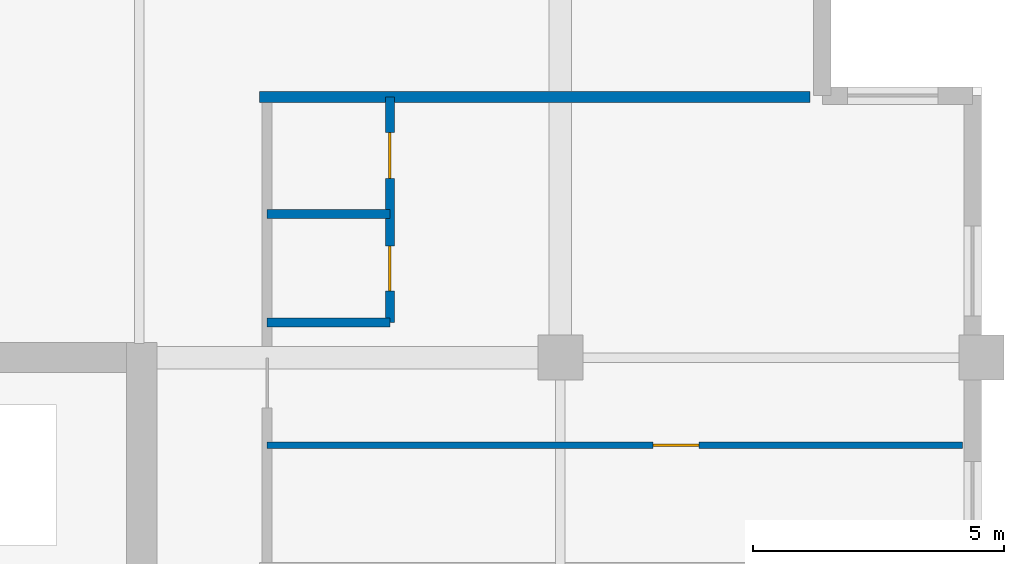
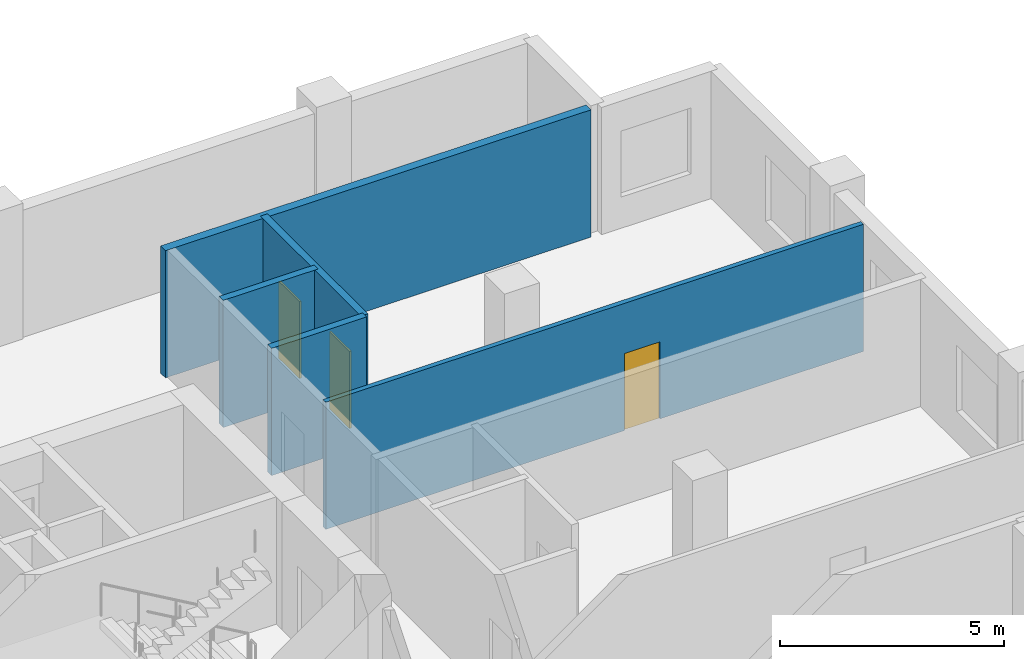
# One storey, part 5 of 12: 5 walls, 3 doors, 3 openings.
"""IFC4 building model written with IfcOpenShell, lengths in metres."""

from ifc_helpers import new_model, si_unit, direction, frame, frame_2d, origin, place, context, subcontext, project, spatial, rectangle, extrude, material, layer, layer_set, type_object, element, fill, save


model = new_model("IFC4")

# Units and contexts
model_context = context("Model", 3, precision=1e-05, world=origin(), true_north=direction((0.0, 1.0)))
body_context = subcontext(model_context, "Body", "Model", "MODEL_VIEW")
ifc_project = project(units=[si_unit("LENGTHUNIT", "METRE"), si_unit("AREAUNIT", "SQUARE_METRE"), si_unit("VOLUMEUNIT", "CUBIC_METRE"), si_unit("PLANEANGLEUNIT", "RADIAN"), si_unit("MASSUNIT", "GRAM", prefix="KILO")], contexts=[model_context])

# Site, building, storey
site_placement = place(None, origin())
site = spatial("IfcSite", under=ifc_project, at=site_placement, CompositionType="ELEMENT")
building_placement = place(site_placement, origin())
building = spatial("IfcBuilding", under=site, at=building_placement, Name="Koriwani Terraces Tower", CompositionType="ELEMENT")
storey_placement = place(building_placement, frame((0.0, 0.0, 271.199951171875)))
storey = spatial("IfcBuildingStorey", under=building, at=storey_placement, Name="L67", CompositionType="ELEMENT", Elevation=271.199951171875)

# Wall
ifc_material_1 = material(Name="Autoclaved Cellular Concrete Blockwork", Category="masonry")
ifc_layer_1 = layer(ifc_material_1, 0.219970703125, Name="Autoclaved Cellular Concrete Blockwork")
ifc_layer_set_1 = layer_set([ifc_layer_1], Name="Autoclaved Cellular Concrete Blockwork")
wall_type_1 = type_object("IfcWallType", Name="WALL_DEMISING_220", PredefinedType="PARTITIONING", material=ifc_layer_set_1)
wall_1_placement = place(storey_placement, frame((61.199951171875, 30.39990234375, 0.0), z_axis=(0.0, 0.0, 1.0), x_axis=(1.0, 0.0, 0.0)))
element("IfcWall", 1, at=wall_1_placement, inside=storey, type_object=wall_type_1, Name="L67 Interior Wall WRDEME-L67-ETE", PredefinedType="PARTITIONING", context=body_context, shape_type="SweptSolid", body=[
    extrude(rectangle(XDim=10.97998046875, YDim=0.219970703125, at=frame_2d((5.489990234375, 0.0))), origin(), (0.0, 0.0, 1.0), 3.469970703125),
])

# Wall, opening, door
ifc_material_2 = material(Name="Fire-Rated Acoustic Gypsum Partition", Category="masonry")
ifc_layer_2 = layer(ifc_material_2, 0.125, Name="Fire-Rated Acoustic Gypsum Partition")
ifc_layer_set_2 = layer_set([ifc_layer_2], Name="Fire-Rated Acoustic Gypsum Partition")
wall_type_2 = type_object("IfcWallType", Name="WALL_INT_125", PredefinedType="PARTITIONING", material=ifc_layer_set_2)
wall_2_placement = place(storey_placement, frame((61.35009765625, 23.449951171875, 0.0), z_axis=(0.0, 0.0, 1.0), x_axis=(1.0, 0.0, 0.0)))
wall_2 = element("IfcWall", 2, at=wall_2_placement, inside=storey, type_object=wall_type_2, Name="L67 Interior Wall WRBED1-L67-ETE-1", PredefinedType="PARTITIONING", context=body_context, shape_type="SweptSolid", body=[
    extrude(rectangle(XDim=13.869873046875, YDim=0.125, at=frame_2d((6.93505859375, 0.0))), origin(), (0.0, 0.0, 1.0), 3.469970703125),
])
opening_1_placement = place(wall_2_placement, frame((7.699951171875, 0.0, 0.0)))
opening_1 = element("IfcOpeningElement", 3, at=opening_1_placement, cuts=wall_2, Name="Opening D-06", PredefinedType="OPENING", context=body_context, shape_type="SweptSolid", body=[
    extrude(rectangle(XDim=0.919921875, YDim=2.10009765625, at=frame_2d((0.4599609375, 1.050048828125))), frame((0.0, 0.072509765625, 0.0), z_axis=(0.0, -1.0, 0.0), x_axis=(1.0, 0.0, 0.0)), (0.0, 0.0, 1.0), 0.14501953125),
])
ifc_material_3 = material(Name="Architectural Oak Fire Door", Category="wood")
door_type_1 = type_object("IfcDoorType", Name="DOOR_ROOM_INT_920X2100", OperationType="NOTDEFINED", PredefinedType="DOOR", material=ifc_material_3)
door_1_placement = place(opening_1_placement, origin())
door_1 = element("IfcDoor", 4, at=door_1_placement, inside=storey, type_object=door_type_1, Name="Apartment 67ETE2 Master Bedroom Door", OperationType="SINGLE_SWING_RIGHT", OverallHeight=2.10009765625, OverallWidth=0.919921875, PredefinedType="DOOR", context=body_context, shape_type="SweptSolid", body=[
    extrude(rectangle(XDim=0.919921875, YDim=2.10009765625, at=frame_2d((0.4599609375, 1.050048828125))), frame((0.0, 0.02490234375, 0.0), z_axis=(0.0, -1.0, 0.0), x_axis=(1.0, 0.0, 0.0)), (0.0, 0.0, 1.0), 0.050048828125),
])
fill(opening_1, door_1)

# Wall, openings, doors
ifc_layer_3 = layer(ifc_material_2, 0.179931640625, Name="Fire-Rated Acoustic Gypsum Partition")
ifc_layer_set_3 = layer_set([ifc_layer_3], Name="Fire-Rated Acoustic Gypsum Partition")
wall_type_3 = type_object("IfcWallType", Name="WALL_PLUMBING_180", PredefinedType="PLUMBINGWALL", material=ifc_layer_set_3)
wall_3_placement = place(storey_placement, frame((63.800048828125, 25.89990234375, 0.0), z_axis=(0.0, 0.0, 1.0), x_axis=(0.0, 1.0, 0.0)))
wall_3 = element("IfcWall", 5, at=wall_3_placement, inside=storey, type_object=wall_type_3, Name="L67 Interior Wall WRSVC-L67-ETE-1", PredefinedType="PLUMBINGWALL", context=body_context, shape_type="SweptSolid", body=[
    extrude(rectangle(XDim=4.5, YDim=0.179931640625, at=frame_2d((2.25, 0.0))), origin(), (0.0, 0.0, 1.0), 3.469970703125),
])
opening_2_placement = place(wall_3_placement, frame((0.6298828125, 0.0, 0.0)))
opening_2 = element("IfcOpeningElement", 6, at=opening_2_placement, cuts=wall_3, Name="Opening D-07", PredefinedType="OPENING", context=body_context, shape_type="SweptSolid", body=[
    extrude(rectangle(XDim=0.89990234375, YDim=2.10009765625, at=frame_2d((0.449951171875, 1.050048828125))), frame((0.0, 0.10009765625, 0.0), z_axis=(0.0, -1.0, 0.0), x_axis=(1.0, 0.0, 0.0)), (0.0, 0.0, 1.0), 0.199951171875),
])
opening_3_placement = place(wall_3_placement, frame((2.8701171875, 0.0, 0.0)))
opening_3 = element("IfcOpeningElement", 7, at=opening_3_placement, cuts=wall_3, Name="Opening D-06", PredefinedType="OPENING", context=body_context, shape_type="SweptSolid", body=[
    extrude(rectangle(XDim=0.919921875, YDim=2.10009765625, at=frame_2d((0.4599609375, 1.050048828125))), frame((0.0, 0.10009765625, 0.0), z_axis=(0.0, -1.0, 0.0), x_axis=(1.0, 0.0, 0.0)), (0.0, 0.0, 1.0), 0.199951171875),
])
door_type_2 = type_object("IfcDoorType", Name="DOOR_BATH_INT_900X2100", OperationType="NOTDEFINED", PredefinedType="DOOR", material=ifc_material_3)
door_2_placement = place(opening_2_placement, origin())
door_2 = element("IfcDoor", 8, at=door_2_placement, inside=storey, type_object=door_type_2, Name="Apartment 67ETE2 Bathroom Door", OperationType="SINGLE_SWING_RIGHT", OverallHeight=2.10009765625, OverallWidth=0.89990234375, PredefinedType="DOOR", context=body_context, shape_type="SweptSolid", body=[
    extrude(rectangle(XDim=0.89990234375, YDim=2.10009765625, at=frame_2d((0.449951171875, 1.050048828125))), frame((0.0, 0.02490234375, 0.0), z_axis=(0.0, -1.0, 0.0), x_axis=(1.0, 0.0, 0.0)), (0.0, 0.0, 1.0), 0.050048828125),
])
fill(opening_2, door_2)
door_3_placement = place(opening_3_placement, origin())
door_3 = element("IfcDoor", 9, at=door_3_placement, inside=storey, type_object=door_type_1, Name="Apartment 67ETE2 Kitchen Door", OperationType="SINGLE_SWING_LEFT", OverallHeight=2.10009765625, OverallWidth=0.919921875, PredefinedType="DOOR", context=body_context, shape_type="SweptSolid", body=[
    extrude(rectangle(XDim=0.919921875, YDim=2.10009765625, at=frame_2d((0.4599609375, 1.050048828125))), frame((0.0, 0.02490234375, 0.0), z_axis=(0.0, -1.0, 0.0), x_axis=(1.0, 0.0, 0.0)), (0.0, 0.0, 1.0), 0.050048828125),
])
fill(opening_3, door_3)

# Walls
for number, where, z_axis, x_axis, name in (
    (10, (61.35009765625, 25.89990234375, 0.0), (0.0, 0.0, 1.0), (1.0, 0.0, 0.0), "L67 Interior Wall WRSVCS-L67-ETE-1"),
    (11, (61.35009765625, 28.06005859375, 0.0), (0.0, 0.0, 1.0), (1.0, 0.0, 0.0), "L67 Interior Wall WRSVCM-L67-ETE-1"),
):
    element("IfcWall", number, at=place(storey_placement, frame(where, z_axis=z_axis, x_axis=x_axis)), inside=storey, type_object=wall_type_3, Name=name, PredefinedType="PLUMBINGWALL", context=body_context, shape_type="SweptSolid", body=[
        extrude(rectangle(XDim=2.449951171875, YDim=0.179931640625, at=frame_2d((1.22509765625, 0.0))), origin(), (0.0, 0.0, 1.0), 3.469970703125),
    ])

save(model, "model.ifc")
